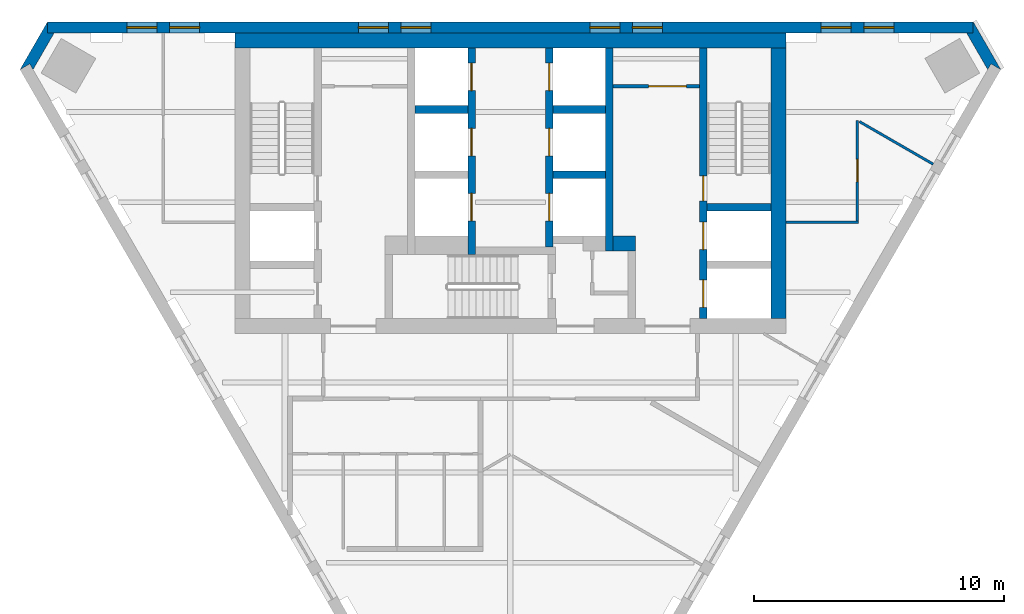
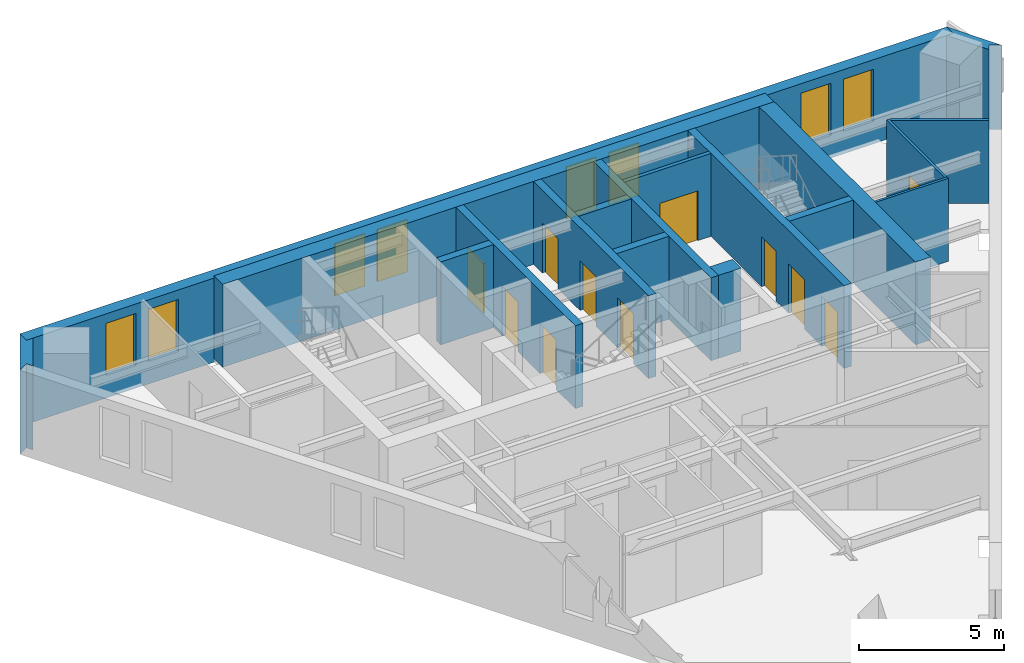
# One storey, part 4 of 6: 18 walls, 11 doors, 8 windows, 19 openings.
"""IFC4 building model written with IfcOpenShell, lengths in metres."""

from ifc_helpers import new_model, si_unit, direction, frame, frame_2d, origin, place, context, subcontext, project, spatial, polyline, rectangle, outline, extrude, material, layer, layer_set, type_object, element, fill, save


model = new_model("IFC4")

# Units and contexts
model_context = context("Model", 3, precision=1e-05, world=origin(), true_north=direction((0.0, 1.0)))
body_context = subcontext(model_context, "Body", "Model", "MODEL_VIEW")
ifc_project = project(units=[si_unit("LENGTHUNIT", "METRE"), si_unit("AREAUNIT", "SQUARE_METRE"), si_unit("VOLUMEUNIT", "CUBIC_METRE"), si_unit("PLANEANGLEUNIT", "RADIAN"), si_unit("MASSUNIT", "GRAM", prefix="KILO")], contexts=[model_context])

# Site, building, storey
site_placement = place(None, origin())
site = spatial("IfcSite", under=ifc_project, at=site_placement, CompositionType="ELEMENT")
building_placement = place(site_placement, origin())
building = spatial("IfcBuilding", under=site, at=building_placement, Name="Aloe Facet Convention Tower", CompositionType="ELEMENT")
storey_placement = place(building_placement, frame((0.0, 0.0, 281.60009765625)))
storey = spatial("IfcBuildingStorey", under=building, at=storey_placement, Name="L69", CompositionType="ELEMENT", Elevation=281.60009765625)

# Wall, opening, door
ifc_material_1 = material(Name="Concrete blockwork partition", Category="masonry")
ifc_layer_1 = layer(ifc_material_1, 0.14990234375)
ifc_layer_set_1 = layer_set([ifc_layer_1], Name="CR-W-PART150")
wall_type_1 = type_object("IfcWallType", Name="CR-W-PART150", PredefinedType="PARTITIONING", material=ifc_layer_set_1)
wall_1_placement = place(storey_placement, frame((84.10009765625, 132.425048828125, 0.0), z_axis=(0.0, 0.0, 1.0), x_axis=(1.0, 0.0, 0.0)))
wall_1 = element("IfcWall", 1, at=wall_1_placement, inside=storey, type_object=wall_type_1, Name="Core partition L69-025", PredefinedType="PARTITIONING", context=body_context, shape_type="SweptSolid", body=[
    extrude(rectangle(XDim=3.449951171875, YDim=0.14990234375, at=frame_2d((1.72509765625, 0.0))), origin(), (0.0, 0.0, 1.0), 3.5),
])
opening_1_placement = place(wall_1_placement, frame((1.425048828125, 0.0, 0.0)))
opening_1 = element("IfcOpeningElement", 2, at=opening_1_placement, cuts=wall_1, Name="Opening L69-CD13", PredefinedType="OPENING", context=body_context, shape_type="SweptSolid", body=[
    extrude(rectangle(XDim=1.5, YDim=2.10009765625, at=frame_2d((0.75, 1.050048828125))), frame((0.0, 0.0849609375, 0.0), z_axis=(0.0, -1.0, 0.0), x_axis=(1.0, 0.0, 0.0)), (0.0, 0.0, 1.0), 0.169921875),
])
ifc_material_2 = material(Name="Steel fire-resisting door set FD60", Category="steel")
door_type_1 = type_object("IfcDoorType", Name="CR-D-REFUGE-1500-FD60-DD", OperationType="DOUBLE_DOOR_DOUBLE_SWING", PredefinedType="DOOR", material=ifc_material_2)
door_1_placement = place(opening_1_placement, origin())
door_1 = element("IfcDoor", 3, at=door_1_placement, inside=storey, type_object=door_type_1, Name="Core door L69-CD13", OperationType="DOUBLE_DOOR_DOUBLE_SWING", OverallHeight=2.10009765625, OverallWidth=1.5, PredefinedType="DOOR", context=body_context, shape_type="SweptSolid", body=[
    extrude(rectangle(XDim=1.5, YDim=2.10009765625, at=frame_2d((0.75, 1.050048828125))), frame((0.0, 0.02490234375, 0.0), z_axis=(0.0, -1.0, 0.0), x_axis=(1.0, 0.0, 0.0)), (0.0, 0.0, 1.0), 0.050048828125),
])
fill(opening_1, door_1)

# Wall
ifc_material_3 = material(Name="Concrete C50/60", Category="concrete")
ifc_layer_2 = layer(ifc_material_3, 0.300048828125)
ifc_layer_set_2 = layer_set([ifc_layer_2], Name="CR-W-RC300-C5060")
wall_type_2 = type_object("IfcWallType", Name="CR-W-RC300-C5060", PredefinedType="SOLIDWALL", material=ifc_layer_set_2)
wall_2_placement = place(storey_placement, frame((76.199951171875, 131.5, 0.0), z_axis=(0.0, 0.0, 1.0), x_axis=(1.0, 0.0, 0.0)))
element("IfcWall", 4, at=wall_2_placement, inside=storey, type_object=wall_type_2, Name="Core wall L69-011", PredefinedType="SOLIDWALL", context=body_context, shape_type="SweptSolid", body=[
    extrude(rectangle(XDim=2.10009765625, YDim=0.300048828125, at=frame_2d((1.050048828125, 0.0))), origin(), (0.0, 0.0, 1.0), 3.5),
])

# Wall, openings, doors
wall_3_placement = place(storey_placement, frame((78.449951171875, 133.949951171875, 0.0), z_axis=(0.0, 0.0, 1.0), x_axis=(0.0, -1.0, 0.0)))
wall_3 = element("IfcWall", 5, at=wall_3_placement, inside=storey, type_object=wall_type_2, Name="Core wall L69-014", PredefinedType="SOLIDWALL", context=body_context, shape_type="SweptSolid", body=[
    extrude(rectangle(XDim=8.25, YDim=0.300048828125, at=frame_2d((4.125, 0.0))), origin(), (0.0, 0.0, 1.0), 3.5),
])
opening_2_placement = place(wall_3_placement, frame((0.60009765625, 0.0, 0.0)))
opening_2 = element("IfcOpeningElement", 6, at=opening_2_placement, cuts=wall_3, Name="Opening LD-B1-L69", PredefinedType="OPENING", context=body_context, shape_type="SweptSolid", body=[
    extrude(rectangle(XDim=1.10009765625, YDim=2.10009765625, at=frame_2d((0.550048828125, 1.050048828125))), frame((0.0, 0.16015625, 0.0), z_axis=(0.0, -1.0, 0.0), x_axis=(1.0, 0.0, 0.0)), (0.0, 0.0, 1.0), 0.320068359375),
])
opening_3_placement = place(wall_3_placement, frame((3.199951171875, 0.0, 0.0)))
opening_3 = element("IfcOpeningElement", 7, at=opening_3_placement, cuts=wall_3, Name="Opening LD-B2-L69", PredefinedType="OPENING", context=body_context, shape_type="SweptSolid", body=[
    extrude(rectangle(XDim=1.10009765625, YDim=2.10009765625, at=frame_2d((0.550048828125, 1.050048828125))), frame((0.0, 0.16015625, 0.0), z_axis=(0.0, -1.0, 0.0), x_axis=(1.0, 0.0, 0.0)), (0.0, 0.0, 1.0), 0.320068359375),
])
opening_4_placement = place(wall_3_placement, frame((5.800048828125, 0.0, 0.0)))
opening_4 = element("IfcOpeningElement", 8, at=opening_4_placement, cuts=wall_3, Name="Opening LD-B3-L69", PredefinedType="OPENING", context=body_context, shape_type="SweptSolid", body=[
    extrude(rectangle(XDim=1.10009765625, YDim=2.10009765625, at=frame_2d((0.550048828125, 1.050048828125))), frame((0.0, 0.16015625, 0.0), z_axis=(0.0, -1.0, 0.0), x_axis=(1.0, 0.0, 0.0)), (0.0, 0.0, 1.0), 0.320068359375),
])
ifc_material_4 = material(Name="Stainless steel sliding landing door", Category="steel")
door_type_2 = type_object("IfcDoorType", Name="CR-LD-1100-FD60-RIGHT", OperationType="SLIDING_TO_RIGHT", PredefinedType="DOOR", material=ifc_material_4)
door_2_placement = place(opening_2_placement, origin())
door_2 = element("IfcDoor", 9, at=door_2_placement, inside=storey, type_object=door_type_2, Name="Landing door B1 L69", OperationType="SLIDING_TO_RIGHT", OverallHeight=2.10009765625, OverallWidth=1.10009765625, PredefinedType="DOOR", context=body_context, shape_type="SweptSolid", body=[
    extrude(rectangle(XDim=1.10009765625, YDim=2.10009765625, at=frame_2d((0.550048828125, 1.050048828125))), frame((0.0, 0.02490234375, 0.0), z_axis=(0.0, -1.0, 0.0), x_axis=(1.0, 0.0, 0.0)), (0.0, 0.0, 1.0), 0.050048828125),
])
fill(opening_2, door_2)
door_3_placement = place(opening_3_placement, origin())
door_3 = element("IfcDoor", 10, at=door_3_placement, inside=storey, type_object=door_type_2, Name="Landing door B2 L69", OperationType="SLIDING_TO_RIGHT", OverallHeight=2.10009765625, OverallWidth=1.10009765625, PredefinedType="DOOR", context=body_context, shape_type="SweptSolid", body=[
    extrude(rectangle(XDim=1.10009765625, YDim=2.10009765625, at=frame_2d((0.550048828125, 1.050048828125))), frame((0.0, 0.02490234375, 0.0), z_axis=(0.0, -1.0, 0.0), x_axis=(1.0, 0.0, 0.0)), (0.0, 0.0, 1.0), 0.050048828125),
])
fill(opening_3, door_3)
door_4_placement = place(opening_4_placement, origin())
door_4 = element("IfcDoor", 11, at=door_4_placement, inside=storey, type_object=door_type_2, Name="Landing door B3 L69", OperationType="SLIDING_TO_RIGHT", OverallHeight=2.10009765625, OverallWidth=1.10009765625, PredefinedType="DOOR", context=body_context, shape_type="SweptSolid", body=[
    extrude(rectangle(XDim=1.10009765625, YDim=2.10009765625, at=frame_2d((0.550048828125, 1.050048828125))), frame((0.0, 0.02490234375, 0.0), z_axis=(0.0, -1.0, 0.0), x_axis=(1.0, 0.0, 0.0)), (0.0, 0.0, 1.0), 0.050048828125),
])
fill(opening_4, door_4)

wall_4_placement = place(storey_placement, frame((81.550048828125, 133.949951171875, 0.0), z_axis=(0.0, 0.0, 1.0), x_axis=(0.0, -1.0, 0.0)))
wall_4 = element("IfcWall", 12, at=wall_4_placement, inside=storey, type_object=wall_type_2, Name="Core wall L69-016", PredefinedType="SOLIDWALL", context=body_context, shape_type="SweptSolid", body=[
    extrude(rectangle(XDim=7.949951171875, YDim=0.300048828125, at=frame_2d((3.97509765625, 0.0))), origin(), (0.0, 0.0, 1.0), 3.5),
])
opening_5_placement = place(wall_4_placement, frame((0.60009765625, 0.0, 0.0)))
opening_5 = element("IfcOpeningElement", 13, at=opening_5_placement, cuts=wall_4, Name="Opening LD-B4-L69", PredefinedType="OPENING", context=body_context, shape_type="SweptSolid", body=[
    extrude(rectangle(XDim=1.10009765625, YDim=2.10009765625, at=frame_2d((0.550048828125, 1.050048828125))), frame((0.0, 0.16015625, 0.0), z_axis=(0.0, -1.0, 0.0), x_axis=(1.0, 0.0, 0.0)), (0.0, 0.0, 1.0), 0.320068359375),
])
opening_6_placement = place(wall_4_placement, frame((3.199951171875, 0.0, 0.0)))
opening_6 = element("IfcOpeningElement", 14, at=opening_6_placement, cuts=wall_4, Name="Opening LD-B5-L69", PredefinedType="OPENING", context=body_context, shape_type="SweptSolid", body=[
    extrude(rectangle(XDim=1.10009765625, YDim=2.10009765625, at=frame_2d((0.550048828125, 1.050048828125))), frame((0.0, 0.16015625, 0.0), z_axis=(0.0, -1.0, 0.0), x_axis=(1.0, 0.0, 0.0)), (0.0, 0.0, 1.0), 0.320068359375),
])
opening_7_placement = place(wall_4_placement, frame((5.800048828125, 0.0, 0.0)))
opening_7 = element("IfcOpeningElement", 15, at=opening_7_placement, cuts=wall_4, Name="Opening LD-B6-L69", PredefinedType="OPENING", context=body_context, shape_type="SweptSolid", body=[
    extrude(rectangle(XDim=1.10009765625, YDim=2.10009765625, at=frame_2d((0.550048828125, 1.050048828125))), frame((0.0, 0.16015625, 0.0), z_axis=(0.0, -1.0, 0.0), x_axis=(1.0, 0.0, 0.0)), (0.0, 0.0, 1.0), 0.320068359375),
])
ifc_material_5 = material(Name="Stainless steel sliding landing door", Category="steel")
door_type_3 = type_object("IfcDoorType", Name="CR-LD-1100-FD60-_LEFT", OperationType="SLIDING_TO_LEFT", PredefinedType="DOOR", material=ifc_material_5)
door_5_placement = place(opening_5_placement, origin())
door_5 = element("IfcDoor", 16, at=door_5_placement, inside=storey, type_object=door_type_3, Name="Landing door B4 L69", OperationType="SLIDING_TO_LEFT", OverallHeight=2.10009765625, OverallWidth=1.10009765625, PredefinedType="DOOR", context=body_context, shape_type="SweptSolid", body=[
    extrude(rectangle(XDim=1.10009765625, YDim=2.10009765625, at=frame_2d((0.550048828125, 1.050048828125))), frame((0.0, 0.02490234375, 0.0), z_axis=(0.0, -1.0, 0.0), x_axis=(1.0, 0.0, 0.0)), (0.0, 0.0, 1.0), 0.050048828125),
])
fill(opening_5, door_5)
door_6_placement = place(opening_6_placement, origin())
door_6 = element("IfcDoor", 17, at=door_6_placement, inside=storey, type_object=door_type_3, Name="Landing door B5 L69", OperationType="SLIDING_TO_LEFT", OverallHeight=2.10009765625, OverallWidth=1.10009765625, PredefinedType="DOOR", context=body_context, shape_type="SweptSolid", body=[
    extrude(rectangle(XDim=1.10009765625, YDim=2.10009765625, at=frame_2d((0.550048828125, 1.050048828125))), frame((0.0, 0.02490234375, 0.0), z_axis=(0.0, -1.0, 0.0), x_axis=(1.0, 0.0, 0.0)), (0.0, 0.0, 1.0), 0.050048828125),
])
fill(opening_6, door_6)
door_7_placement = place(opening_7_placement, origin())
door_7 = element("IfcDoor", 18, at=door_7_placement, inside=storey, type_object=door_type_3, Name="Landing door B6 L69", OperationType="SLIDING_TO_LEFT", OverallHeight=2.10009765625, OverallWidth=1.10009765625, PredefinedType="DOOR", context=body_context, shape_type="SweptSolid", body=[
    extrude(rectangle(XDim=1.10009765625, YDim=2.10009765625, at=frame_2d((0.550048828125, 1.050048828125))), frame((0.0, 0.02490234375, 0.0), z_axis=(0.0, -1.0, 0.0), x_axis=(1.0, 0.0, 0.0)), (0.0, 0.0, 1.0), 0.050048828125),
])
fill(opening_7, door_7)

# Walls
for number, where, z_axis, x_axis, name in (
    (19, (81.699951171875, 131.5, 0.0), (0.0, 0.0, 1.0), (1.0, 0.0, 0.0), "Core wall L69-018"),
    (20, (81.699951171875, 128.89990234375, 0.0), (0.0, 0.0, 1.0), (1.0, 0.0, 0.0), "Core wall L69-019"),
):
    element("IfcWall", number, at=place(storey_placement, frame(where, z_axis=z_axis, x_axis=x_axis)), inside=storey, type_object=wall_type_2, Name=name, PredefinedType="SOLIDWALL", context=body_context, shape_type="SweptSolid", body=[
        extrude(rectangle(XDim=2.10009765625, YDim=0.300048828125, at=frame_2d((1.050048828125, 0.0))), origin(), (0.0, 0.0, 1.0), 3.5),
    ])
wall_5_placement = place(storey_placement, frame((83.949951171875, 133.949951171875, 0.0), z_axis=(0.0, 0.0, 1.0), x_axis=(0.0, -1.0, 0.0)))
element("IfcWall", 21, at=wall_5_placement, inside=storey, type_object=wall_type_2, Name="Core wall L69-024", PredefinedType="SOLIDWALL", context=body_context, shape_type="SweptSolid", body=[
    extrude(rectangle(XDim=8.099853515625, YDim=0.300048828125, at=frame_2d((4.0498046875, 0.0))), origin(), (0.0, 0.0, 1.0), 3.5),
])

# Wall, openings, doors
wall_6_placement = place(storey_placement, frame((87.699951171875, 133.949951171875, 0.0), z_axis=(0.0, 0.0, 1.0), x_axis=(0.0, -1.0, 0.0)))
wall_6 = element("IfcWall", 22, at=wall_6_placement, inside=storey, type_object=wall_type_2, Name="Core wall L69-028", PredefinedType="SOLIDWALL", context=body_context, shape_type="SweptSolid", body=[
    extrude(rectangle(XDim=10.800048828125, YDim=0.300048828125, at=frame_2d((5.39990234375, 0.0))), origin(), (0.0, 0.0, 1.0), 3.5),
])
opening_8_placement = place(wall_6_placement, frame((6.949951171875, 0.0, 0.0)))
opening_8 = element("IfcOpeningElement", 23, at=opening_8_placement, cuts=wall_6, Name="Opening LD-FF2-L69", PredefinedType="OPENING", context=body_context, shape_type="SweptSolid", body=[
    extrude(rectangle(XDim=1.10009765625, YDim=2.10009765625, at=frame_2d((0.550048828125, 1.050048828125))), frame((0.0, 0.16015625, 0.0), z_axis=(0.0, -1.0, 0.0), x_axis=(1.0, 0.0, 0.0)), (0.0, 0.0, 1.0), 0.320068359375),
])
opening_9_placement = place(wall_6_placement, frame((5.10009765625, 0.0, 0.0)))
opening_9 = element("IfcOpeningElement", 24, at=opening_9_placement, cuts=wall_6, Name="Opening L69-CD17", PredefinedType="OPENING", context=body_context, shape_type="SweptSolid", body=[
    extrude(rectangle(XDim=1.0, YDim=2.10009765625, at=frame_2d((0.5, 1.050048828125))), frame((0.0, 0.16015625, 0.0), z_axis=(0.0, -1.0, 0.0), x_axis=(1.0, 0.0, 0.0)), (0.0, 0.0, 1.0), 0.320068359375),
])
opening_10_placement = place(wall_6_placement, frame((9.25, 0.0, 0.0)))
opening_10 = element("IfcOpeningElement", 25, at=opening_10_placement, cuts=wall_6, Name="Opening LD-SV1-L69", PredefinedType="OPENING", context=body_context, shape_type="SweptSolid", body=[
    extrude(rectangle(XDim=1.10009765625, YDim=2.10009765625, at=frame_2d((0.550048828125, 1.050048828125))), frame((0.0, 0.16015625, 0.0), z_axis=(0.0, -1.0, 0.0), x_axis=(1.0, 0.0, 0.0)), (0.0, 0.0, 1.0), 0.320068359375),
])
ifc_material_6 = material(Name="Steel fire-resisting door set FD120", Category="steel")
door_type_4 = type_object("IfcDoorType", Name="CR-D-STAIR-1000-FD120-SLEFT", OperationType="SINGLE_SWING_LEFT", PredefinedType="DOOR", material=ifc_material_6)
door_8_placement = place(opening_9_placement, origin())
door_8 = element("IfcDoor", 26, at=door_8_placement, inside=storey, type_object=door_type_4, Name="Core door L69-CD17", OperationType="SINGLE_SWING_LEFT", OverallHeight=2.10009765625, OverallWidth=1.0, PredefinedType="DOOR", context=body_context, shape_type="SweptSolid", body=[
    extrude(rectangle(XDim=1.0, YDim=2.10009765625, at=frame_2d((0.5, 1.050048828125))), frame((0.0, 0.02490234375, 0.0), z_axis=(0.0, -1.0, 0.0), x_axis=(1.0, 0.0, 0.0)), (0.0, 0.0, 1.0), 0.050048828125),
])
fill(opening_9, door_8)
ifc_material_7 = material(Name="Stainless steel sliding landing door", Category="steel")
door_type_5 = type_object("IfcDoorType", Name="CR-LD-1100-FD120-_LEFT", OperationType="SLIDING_TO_LEFT", PredefinedType="DOOR", material=ifc_material_7)
door_9_placement = place(opening_8_placement, origin())
door_9 = element("IfcDoor", 27, at=door_9_placement, inside=storey, type_object=door_type_5, Name="Landing door FF2 L69", OperationType="SLIDING_TO_LEFT", OverallHeight=2.10009765625, OverallWidth=1.10009765625, PredefinedType="DOOR", context=body_context, shape_type="SweptSolid", body=[
    extrude(rectangle(XDim=1.10009765625, YDim=2.10009765625, at=frame_2d((0.550048828125, 1.050048828125))), frame((0.0, 0.02490234375, 0.0), z_axis=(0.0, -1.0, 0.0), x_axis=(1.0, 0.0, 0.0)), (0.0, 0.0, 1.0), 0.050048828125),
])
fill(opening_8, door_9)
door_10_placement = place(opening_10_placement, origin())
door_10 = element("IfcDoor", 28, at=door_10_placement, inside=storey, type_object=door_type_5, Name="Landing door SV1 L69", OperationType="SLIDING_TO_LEFT", OverallHeight=2.10009765625, OverallWidth=1.10009765625, PredefinedType="DOOR", context=body_context, shape_type="SweptSolid", body=[
    extrude(rectangle(XDim=1.10009765625, YDim=2.10009765625, at=frame_2d((0.550048828125, 1.050048828125))), frame((0.0, 0.02490234375, 0.0), z_axis=(0.0, -1.0, 0.0), x_axis=(1.0, 0.0, 0.0)), (0.0, 0.0, 1.0), 0.050048828125),
])
fill(opening_10, door_10)

# Walls
wall_7_placement = place(storey_placement, frame((87.85009765625, 127.60009765625, 0.0), z_axis=(0.0, 0.0, 1.0), x_axis=(1.0, 0.0, 0.0)))
element("IfcWall", 29, at=wall_7_placement, inside=storey, type_object=wall_type_2, Name="Core wall L69-029", PredefinedType="SOLIDWALL", context=body_context, shape_type="SweptSolid", body=[
    extrude(rectangle(XDim=2.5498046875, YDim=0.300048828125, at=frame_2d((1.27490234375, 0.0))), origin(), (0.0, 0.0, 1.0), 3.5),
])
ifc_material_8 = material(Name="Concrete C50/60", Category="concrete")
ifc_layer_3 = layer(ifc_material_8, 0.60009765625)
ifc_layer_set_3 = layer_set([ifc_layer_3], Name="CR-W-RC600-C5060")
wall_type_3 = type_object("IfcWallType", Name="CR-W-RC600-C5060", PredefinedType="SOLIDWALL", material=ifc_layer_set_3)
wall_8_placement = place(storey_placement, frame((69.0, 134.25, 0.0), z_axis=(0.0, 0.0, 1.0), x_axis=(1.0, 0.0, 0.0)))
element("IfcWall", 30, at=wall_8_placement, inside=storey, type_object=wall_type_3, Name="Core wall L69-001", PredefinedType="SOLIDWALL", context=body_context, shape_type="SweptSolid", body=[
    extrude(rectangle(XDim=22.0, YDim=0.60009765625, at=frame_2d((11.0, 0.0))), origin(), (0.0, 0.0, 1.0), 3.5),
])
wall_9_placement = place(storey_placement, frame((84.10009765625, 126.14990234375, 0.0), z_axis=(0.0, 0.0, 1.0), x_axis=(1.0, 0.0, 0.0)))
element("IfcWall", 31, at=wall_9_placement, inside=storey, type_object=wall_type_3, Name="Core wall L69-026", PredefinedType="SOLIDWALL", context=body_context, shape_type="SweptSolid", body=[
    extrude(rectangle(XDim=0.89990234375, YDim=0.60009765625, at=frame_2d((0.449951171875, 0.0))), origin(), (0.0, 0.0, 1.0), 3.5),
])
wall_10_placement = place(storey_placement, frame((90.699951171875, 133.949951171875, 0.0), z_axis=(0.0, 0.0, 1.0), x_axis=(0.0, -1.0, 0.0)))
element("IfcWall", 32, at=wall_10_placement, inside=storey, type_object=wall_type_3, Name="Core wall L69-031", PredefinedType="SOLIDWALL", context=body_context, shape_type="SweptSolid", body=[
    extrude(rectangle(XDim=10.800048828125, YDim=0.60009765625, at=frame_2d((5.39990234375, 0.0))), origin(), (0.0, 0.0, 1.0), 3.5),
])
ifc_material_9 = material(Name="Precast concrete C40/50", Category="concrete")
ifc_layer_4 = layer(ifc_material_9, 0.449951171875)
ifc_layer_set_4 = layer_set([ifc_layer_4], Name="EV-WALL-PIER")
wall_type_4 = type_object("IfcWallType", Name="EV-WALL-PIER", PredefinedType="SOLIDWALL", material=ifc_layer_set_4)
wall_11_placement = place(storey_placement, frame((0.0, 0.0, -0.150146484375)))
element("IfcWall", 33, at=wall_11_placement, inside=storey, type_object=wall_type_4, Name="EP-L69-A", PredefinedType="SOLIDWALL", context=body_context, shape_type="SweptSolid", body=[
    extrude(outline(polyline([(61.513916015625, 135.0), (61.513916015625, 134.550048828125), (61.773681640625, 134.550048828125), (60.933349609375, 133.0947265625), (60.803466796875, 133.31982421875), (60.413818359375, 133.0947265625), (61.513916015625, 135.0)])), origin(), (0.0, 0.0, 1.0), 3.550048828125),
])
wall_12_placement = place(storey_placement, frame((0.0, 0.0, -0.150146484375)))
element("IfcWall", 34, at=wall_12_placement, inside=storey, type_object=wall_type_4, Name="EP-L69-C", PredefinedType="SOLIDWALL", context=body_context, shape_type="SweptSolid", body=[
    extrude(outline(polyline([(99.586181640625, 133.0947265625), (99.196533203125, 133.31982421875), (99.066650390625, 133.0947265625), (98.226318359375, 134.550048828125), (98.486083984375, 134.550048828125), (98.486083984375, 135.0), (99.586181640625, 133.0947265625)])), origin(), (0.0, 0.0, 1.0), 3.550048828125),
])

# Wall, openings, windows
ifc_material_10 = material(Name="Precast concrete C40/50", Category="concrete")
ifc_layer_5 = layer(ifc_material_10, 0.449951171875)
ifc_layer_set_5 = layer_set([ifc_layer_5], Name="EV-WALL-STONE")
wall_type_5 = type_object("IfcWallType", Name="EV-WALL-STONE", PredefinedType="SOLIDWALL", material=ifc_layer_set_5)
wall_13_placement = place(storey_placement, frame((98.486083984375, 134.77490234375, -0.150146484375), z_axis=(0.0, 0.0, 1.0), x_axis=(-1.0, 0.0, 0.0)))
wall_13 = element("IfcWall", 35, at=wall_13_placement, inside=storey, type_object=wall_type_5, Name="EW-L69-N01", PredefinedType="SOLIDWALL", context=body_context, shape_type="SweptSolid", body=[
    extrude(outline(polyline([(36.972412109375, 0.0), (36.972412109375, 3.550048828125), (0.0, 3.550048828125), (0.0, 0.0), (36.972412109375, 0.0)])), frame((0.0, 0.22509765625, 0.0), z_axis=(0.0, -1.0, 0.0), x_axis=(1.0, 0.0, 0.0)), (0.0, 0.0, 1.0), 0.449951171875),
])
opening_11_placement = place(wall_13_placement, frame((3.171630859375, 0.0, 0.949951171875)))
opening_11 = element("IfcOpeningElement", 36, at=opening_11_placement, cuts=wall_13, Name="Opening W-L69-N01", PredefinedType="OPENING", context=body_context, shape_type="SweptSolid", body=[
    extrude(rectangle(XDim=1.199951171875, YDim=2.199951171875, at=frame_2d((0.60009765625, 1.10009765625))), frame((0.0, 0.23486328125, 0.0), z_axis=(0.0, -1.0, 0.0), x_axis=(1.0, 0.0, 0.0)), (0.0, 0.0, 1.0), 0.469970703125),
])
opening_12_placement = place(wall_13_placement, frame((4.87158203125, 0.0, 0.949951171875)))
opening_12 = element("IfcOpeningElement", 37, at=opening_12_placement, cuts=wall_13, Name="Opening W-L69-N02", PredefinedType="OPENING", context=body_context, shape_type="SweptSolid", body=[
    extrude(rectangle(XDim=1.199951171875, YDim=2.199951171875, at=frame_2d((0.60009765625, 1.10009765625))), frame((0.0, 0.23486328125, 0.0), z_axis=(0.0, -1.0, 0.0), x_axis=(1.0, 0.0, 0.0)), (0.0, 0.0, 1.0), 0.469970703125),
])
opening_13_placement = place(wall_13_placement, frame((12.41455078125, 0.0, 0.949951171875)))
opening_13 = element("IfcOpeningElement", 38, at=opening_13_placement, cuts=wall_13, Name="Opening W-L69-N03", PredefinedType="OPENING", context=body_context, shape_type="SweptSolid", body=[
    extrude(rectangle(XDim=1.199951171875, YDim=2.199951171875, at=frame_2d((0.60009765625, 1.10009765625))), frame((0.0, 0.23486328125, 0.0), z_axis=(0.0, -1.0, 0.0), x_axis=(1.0, 0.0, 0.0)), (0.0, 0.0, 1.0), 0.469970703125),
])
opening_14_placement = place(wall_13_placement, frame((14.114501953125, 0.0, 0.949951171875)))
opening_14 = element("IfcOpeningElement", 39, at=opening_14_placement, cuts=wall_13, Name="Opening W-L69-N04", PredefinedType="OPENING", context=body_context, shape_type="SweptSolid", body=[
    extrude(rectangle(XDim=1.199951171875, YDim=2.199951171875, at=frame_2d((0.60009765625, 1.10009765625))), frame((0.0, 0.23486328125, 0.0), z_axis=(0.0, -1.0, 0.0), x_axis=(1.0, 0.0, 0.0)), (0.0, 0.0, 1.0), 0.469970703125),
])
opening_15_placement = place(wall_13_placement, frame((21.65771484375, 0.0, 0.949951171875)))
opening_15 = element("IfcOpeningElement", 40, at=opening_15_placement, cuts=wall_13, Name="Opening W-L69-N05", PredefinedType="OPENING", context=body_context, shape_type="SweptSolid", body=[
    extrude(rectangle(XDim=1.199951171875, YDim=2.199951171875, at=frame_2d((0.60009765625, 1.10009765625))), frame((0.0, 0.23486328125, 0.0), z_axis=(0.0, -1.0, 0.0), x_axis=(1.0, 0.0, 0.0)), (0.0, 0.0, 1.0), 0.469970703125),
])
opening_16_placement = place(wall_13_placement, frame((23.357666015625, 0.0, 0.949951171875)))
opening_16 = element("IfcOpeningElement", 41, at=opening_16_placement, cuts=wall_13, Name="Opening W-L69-N06", PredefinedType="OPENING", context=body_context, shape_type="SweptSolid", body=[
    extrude(rectangle(XDim=1.199951171875, YDim=2.199951171875, at=frame_2d((0.60009765625, 1.10009765625))), frame((0.0, 0.23486328125, 0.0), z_axis=(0.0, -1.0, 0.0), x_axis=(1.0, 0.0, 0.0)), (0.0, 0.0, 1.0), 0.469970703125),
])
opening_17_placement = place(wall_13_placement, frame((30.90087890625, 0.0, 0.949951171875)))
opening_17 = element("IfcOpeningElement", 42, at=opening_17_placement, cuts=wall_13, Name="Opening W-L69-N07", PredefinedType="OPENING", context=body_context, shape_type="SweptSolid", body=[
    extrude(rectangle(XDim=1.199951171875, YDim=2.199951171875, at=frame_2d((0.60009765625, 1.10009765625))), frame((0.0, 0.23486328125, 0.0), z_axis=(0.0, -1.0, 0.0), x_axis=(1.0, 0.0, 0.0)), (0.0, 0.0, 1.0), 0.469970703125),
])
opening_18_placement = place(wall_13_placement, frame((32.600830078125, 0.0, 0.949951171875)))
opening_18 = element("IfcOpeningElement", 43, at=opening_18_placement, cuts=wall_13, Name="Opening W-L69-N08", PredefinedType="OPENING", context=body_context, shape_type="SweptSolid", body=[
    extrude(rectangle(XDim=1.199951171875, YDim=2.199951171875, at=frame_2d((0.60009765625, 1.10009765625))), frame((0.0, 0.23486328125, 0.0), z_axis=(0.0, -1.0, 0.0), x_axis=(1.0, 0.0, 0.0)), (0.0, 0.0, 1.0), 0.469970703125),
])
ifc_material_11 = material(Name="Aluminium frame, clear double glazing", Category="aluminium")
window_type = type_object("IfcWindowType", Name="EV-WIN-O12", PartitioningType="SINGLE_PANEL", PredefinedType="WINDOW", material=ifc_material_11)
window_1_placement = place(opening_11_placement, origin())
window_1 = element("IfcWindow", 44, at=window_1_placement, inside=storey, type_object=window_type, Name="W-L69-N01", OverallHeight=2.199951171875, OverallWidth=1.199951171875, PartitioningType="SINGLE_PANEL", PredefinedType="WINDOW", context=body_context, shape_type="SweptSolid", body=[
    extrude(rectangle(XDim=1.199951171875, YDim=2.199951171875, at=frame_2d((0.60009765625, 1.10009765625))), frame((0.0, 0.030029296875, 0.0), z_axis=(0.0, -1.0, 0.0), x_axis=(1.0, 0.0, 0.0)), (0.0, 0.0, 1.0), 0.06005859375),
])
fill(opening_11, window_1)
window_2_placement = place(opening_12_placement, origin())
window_2 = element("IfcWindow", 45, at=window_2_placement, inside=storey, type_object=window_type, Name="W-L69-N02", OverallHeight=2.199951171875, OverallWidth=1.199951171875, PartitioningType="SINGLE_PANEL", PredefinedType="WINDOW", context=body_context, shape_type="SweptSolid", body=[
    extrude(rectangle(XDim=1.199951171875, YDim=2.199951171875, at=frame_2d((0.60009765625, 1.10009765625))), frame((0.0, 0.030029296875, 0.0), z_axis=(0.0, -1.0, 0.0), x_axis=(1.0, 0.0, 0.0)), (0.0, 0.0, 1.0), 0.06005859375),
])
fill(opening_12, window_2)
window_3_placement = place(opening_13_placement, origin())
window_3 = element("IfcWindow", 46, at=window_3_placement, inside=storey, type_object=window_type, Name="W-L69-N03", OverallHeight=2.199951171875, OverallWidth=1.199951171875, PartitioningType="SINGLE_PANEL", PredefinedType="WINDOW", context=body_context, shape_type="SweptSolid", body=[
    extrude(rectangle(XDim=1.199951171875, YDim=2.199951171875, at=frame_2d((0.60009765625, 1.10009765625))), frame((0.0, 0.030029296875, 0.0), z_axis=(0.0, -1.0, 0.0), x_axis=(1.0, 0.0, 0.0)), (0.0, 0.0, 1.0), 0.06005859375),
])
fill(opening_13, window_3)
window_4_placement = place(opening_14_placement, origin())
window_4 = element("IfcWindow", 47, at=window_4_placement, inside=storey, type_object=window_type, Name="W-L69-N04", OverallHeight=2.199951171875, OverallWidth=1.199951171875, PartitioningType="SINGLE_PANEL", PredefinedType="WINDOW", context=body_context, shape_type="SweptSolid", body=[
    extrude(rectangle(XDim=1.199951171875, YDim=2.199951171875, at=frame_2d((0.60009765625, 1.10009765625))), frame((0.0, 0.030029296875, 0.0), z_axis=(0.0, -1.0, 0.0), x_axis=(1.0, 0.0, 0.0)), (0.0, 0.0, 1.0), 0.06005859375),
])
fill(opening_14, window_4)
window_5_placement = place(opening_15_placement, origin())
window_5 = element("IfcWindow", 48, at=window_5_placement, inside=storey, type_object=window_type, Name="W-L69-N05", OverallHeight=2.199951171875, OverallWidth=1.199951171875, PartitioningType="SINGLE_PANEL", PredefinedType="WINDOW", context=body_context, shape_type="SweptSolid", body=[
    extrude(rectangle(XDim=1.199951171875, YDim=2.199951171875, at=frame_2d((0.60009765625, 1.10009765625))), frame((0.0, 0.030029296875, 0.0), z_axis=(0.0, -1.0, 0.0), x_axis=(1.0, 0.0, 0.0)), (0.0, 0.0, 1.0), 0.06005859375),
])
fill(opening_15, window_5)
window_6_placement = place(opening_16_placement, origin())
window_6 = element("IfcWindow", 49, at=window_6_placement, inside=storey, type_object=window_type, Name="W-L69-N06", OverallHeight=2.199951171875, OverallWidth=1.199951171875, PartitioningType="SINGLE_PANEL", PredefinedType="WINDOW", context=body_context, shape_type="SweptSolid", body=[
    extrude(rectangle(XDim=1.199951171875, YDim=2.199951171875, at=frame_2d((0.60009765625, 1.10009765625))), frame((0.0, 0.030029296875, 0.0), z_axis=(0.0, -1.0, 0.0), x_axis=(1.0, 0.0, 0.0)), (0.0, 0.0, 1.0), 0.06005859375),
])
fill(opening_16, window_6)
window_7_placement = place(opening_17_placement, origin())
window_7 = element("IfcWindow", 50, at=window_7_placement, inside=storey, type_object=window_type, Name="W-L69-N07", OverallHeight=2.199951171875, OverallWidth=1.199951171875, PartitioningType="SINGLE_PANEL", PredefinedType="WINDOW", context=body_context, shape_type="SweptSolid", body=[
    extrude(rectangle(XDim=1.199951171875, YDim=2.199951171875, at=frame_2d((0.60009765625, 1.10009765625))), frame((0.0, 0.030029296875, 0.0), z_axis=(0.0, -1.0, 0.0), x_axis=(1.0, 0.0, 0.0)), (0.0, 0.0, 1.0), 0.06005859375),
])
fill(opening_17, window_7)
window_8_placement = place(opening_18_placement, origin())
window_8 = element("IfcWindow", 51, at=window_8_placement, inside=storey, type_object=window_type, Name="W-L69-N08", OverallHeight=2.199951171875, OverallWidth=1.199951171875, PartitioningType="SINGLE_PANEL", PredefinedType="WINDOW", context=body_context, shape_type="SweptSolid", body=[
    extrude(rectangle(XDim=1.199951171875, YDim=2.199951171875, at=frame_2d((0.60009765625, 1.10009765625))), frame((0.0, 0.030029296875, 0.0), z_axis=(0.0, -1.0, 0.0), x_axis=(1.0, 0.0, 0.0)), (0.0, 0.0, 1.0), 0.06005859375),
])
fill(opening_18, window_8)

# Wall
ifc_material_12 = material(Name="Gypsum board partition on steel studs", Category="steel")
ifc_layer_6 = layer(ifc_material_12, 0.10009765625)
ifc_layer_set_6 = layer_set([ifc_layer_6], Name="IN-W-PART")
wall_type_6 = type_object("IfcWallType", Name="IN-W-PART", PredefinedType="PARTITIONING", material=ifc_layer_set_6)
wall_14_placement = place(storey_placement, frame((91.0, 127.0, 0.0), z_axis=(0.0, 0.0, 1.0), x_axis=(1.0, 0.0, 0.0)))
element("IfcWall", 52, at=wall_14_placement, inside=storey, type_object=wall_type_6, Name="Partition L69-W027", PredefinedType="PARTITIONING", context=body_context, shape_type="SweptSolid", body=[
    extrude(rectangle(XDim=2.91455078125, YDim=0.10009765625, at=frame_2d((1.457275390625, 0.0))), origin(), (0.0, 0.0, 1.0), 3.5),
])

# Wall, opening, door
wall_15_placement = place(storey_placement, frame((93.864501953125, 127.050048828125, 0.0), z_axis=(0.0, 0.0, 1.0), x_axis=(0.0, 1.0, 0.0)))
wall_15 = element("IfcWall", 53, at=wall_15_placement, inside=storey, type_object=wall_type_6, Name="Partition L69-W028", PredefinedType="PARTITIONING", context=body_context, shape_type="SweptSolid", body=[
    extrude(rectangle(XDim=4.011474609375, YDim=0.10009765625, at=frame_2d((2.005859375, 0.0))), origin(), (0.0, 0.0, 1.0), 3.5),
])
opening_19_placement = place(wall_15_placement, frame((1.555908203125, 0.0, 0.0)))
opening_19 = element("IfcOpeningElement", 54, at=opening_19_placement, cuts=wall_15, Name="Opening L69-006", PredefinedType="OPENING", context=body_context, shape_type="SweptSolid", body=[
    extrude(rectangle(XDim=0.89990234375, YDim=2.10009765625, at=frame_2d((0.449951171875, 1.050048828125))), frame((0.0, 0.06005859375, 0.0), z_axis=(0.0, -1.0, 0.0), x_axis=(1.0, 0.0, 0.0)), (0.0, 0.0, 1.0), 0.1201171875),
])
ifc_material_13 = material(Name="Timber door", Category="wood")
door_type_6 = type_object("IfcDoorType", Name="IN-OFF-D-ROOM", OperationType="SINGLE_SWING_LEFT", PredefinedType="DOOR", material=ifc_material_13)
door_11_placement = place(opening_19_placement, origin())
door_11 = element("IfcDoor", 55, at=door_11_placement, inside=storey, type_object=door_type_6, Name="Door L69-006", OperationType="SINGLE_SWING_LEFT", OverallHeight=2.10009765625, OverallWidth=0.89990234375, PredefinedType="DOOR", context=body_context, shape_type="SweptSolid", body=[
    extrude(rectangle(XDim=0.89990234375, YDim=2.10009765625, at=frame_2d((0.449951171875, 1.050048828125))), frame((0.0, 0.02490234375, 0.0), z_axis=(0.0, -1.0, 0.0), x_axis=(1.0, 0.0, 0.0)), (0.0, 0.0, 1.0), 0.050048828125),
])
fill(opening_19, door_11)

# Wall
wall_16_placement = place(storey_placement, frame((93.939697265625, 131.018310546875, 0.0), z_axis=(0.0, 0.0, 1.0), x_axis=(0.866021851682, -0.500006152372, 0.0)))
element("IfcWall", 56, at=wall_16_placement, inside=storey, type_object=wall_type_6, Name="Partition L69-W029", PredefinedType="PARTITIONING", context=body_context, shape_type="SweptSolid", body=[
    extrude(rectangle(XDim=3.40185546875, YDim=0.10009765625, at=frame_2d((1.700927734375, 0.0))), origin(), (0.0, 0.0, 1.0), 3.5),
])

save(model, "model.ifc")
